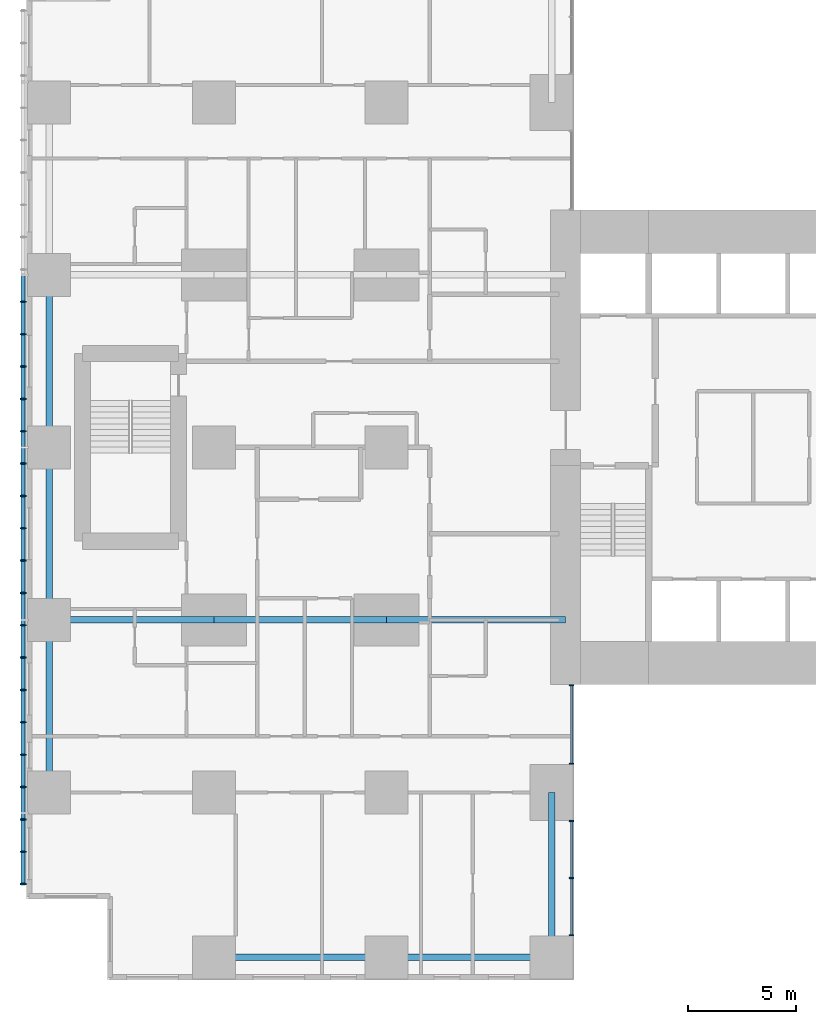
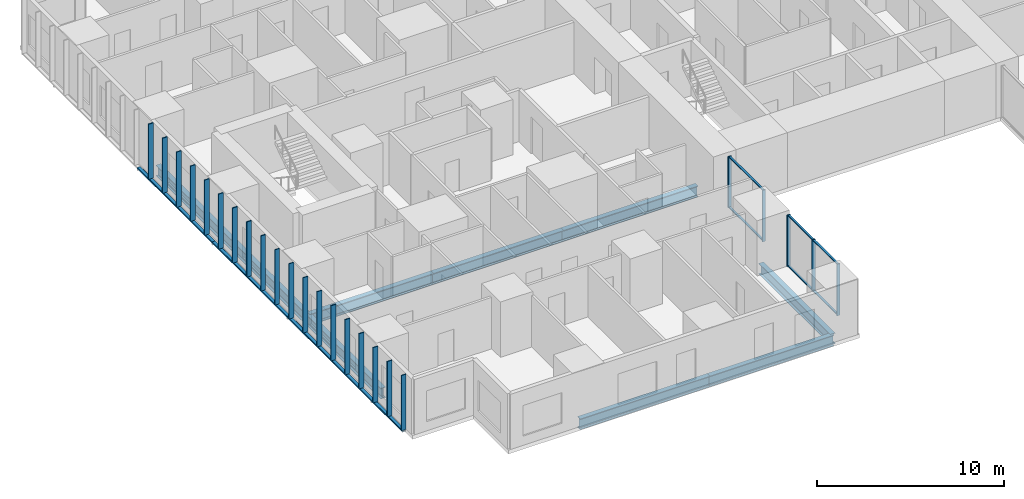
# One storey, part 2 of 20: 33 members, 9 beams, 2 elements without a shape of their own.
"""IFC4 building model written with IfcOpenShell, lengths in metres."""

from ifc_helpers import new_model, si_unit, direction, frame, origin, origin_2d, place, context, subcontext, project, spatial, rectangle, hollow_rectangle, i_section, extrude, material, layer, layer_set, material_profile, profile_set, type_object, element, aggregate, save


model = new_model("IFC4")

# Units and contexts
model_context = context("Model", 3, precision=1e-05, world=origin(), true_north=direction((0.0, 1.0)))
body_context = subcontext(model_context, "Body", "Model", "MODEL_VIEW")
ifc_project = project(units=[si_unit("LENGTHUNIT", "METRE"), si_unit("AREAUNIT", "SQUARE_METRE"), si_unit("VOLUMEUNIT", "CUBIC_METRE"), si_unit("PLANEANGLEUNIT", "RADIAN"), si_unit("MASSUNIT", "GRAM", prefix="KILO")], contexts=[model_context])

# Site, building, storey
site_placement = place(None, origin())
site = spatial("IfcSite", under=ifc_project, at=site_placement, CompositionType="ELEMENT")
building_placement = place(site_placement, origin())
building = spatial("IfcBuilding", under=site, at=building_placement, Name="Cleftline Residences", CompositionType="ELEMENT")
storey_placement = place(building_placement, frame((0.0, 0.0, 54.800048828125)))
storey = spatial("IfcBuildingStorey", under=building, at=storey_placement, Name="L13", CompositionType="ELEMENT", Elevation=54.800048828125)

# Members
ifc_material_1 = material(Name="Steel S355, hot-dip galvanised", Category="steel")
ifc_material_profile_1 = material_profile(ifc_material_1, hollow_rectangle(XDim=0.10009765625, YDim=0.199951171875, WallThickness=0.008056640625, InnerFilletRadius=0.008056640625, OuterFilletRadius=0.011962890625, at=origin_2d()))
ifc_profile_set_1 = profile_set([ifc_material_profile_1], Name="Steel S355, hot-dip galvanised")
member_type_1 = type_object("IfcMemberType", Name="BAGUETTE CARRIER RHS 200X100X8", PredefinedType="USERDEFINED", material=ifc_profile_set_1)
for number, where, z_axis, x_axis, name in (
    (1, (-0.85009765625, 32.0, -0.050048828125), (0.0, -1.0, 0.0), (0.0, 0.0, 1.0), "Baguette carrier"),
    (2, (-0.85009765625, 24.0, -0.050048828125), (0.0, -1.0, 0.0), (0.0, 0.0, 1.0), "Baguette carrier"),
):
    element("IfcMember", number, at=place(storey_placement, frame(where, z_axis=z_axis, x_axis=x_axis)), inside=storey, type_object=member_type_1, Name=name, ObjectType="BAGUETTE CARRIER", PredefinedType="USERDEFINED", context=body_context, shape_type="SweptSolid", body=[
        extrude(hollow_rectangle(XDim=0.10009765625, YDim=0.199951171875, WallThickness=0.008056640625, InnerFilletRadius=0.008056640625, OuterFilletRadius=0.011962890625, at=origin_2d()), origin(), (0.0, 0.0, 1.0), 8.0),
    ])
member_1_placement = place(storey_placement, frame((-0.85009765625, 16.0, -0.050048828125), z_axis=(0.0, -1.0, 0.0), x_axis=(0.0, 0.0, 1.0)))
element("IfcMember", 3, at=member_1_placement, inside=storey, type_object=member_type_1, Name="Baguette carrier", ObjectType="BAGUETTE CARRIER", PredefinedType="USERDEFINED", context=body_context, shape_type="SweptSolid", body=[
    extrude(hollow_rectangle(XDim=0.10009765625, YDim=0.199951171875, WallThickness=0.008056640625, InnerFilletRadius=0.008056640625, OuterFilletRadius=0.011962890625, at=origin_2d()), origin(), (0.0, 0.0, 1.0), 12.300048828125),
])

# Beams
ifc_material_2 = material(Name="Steel S355", Category="steel")
ifc_material_profile_2 = material_profile(ifc_material_2, i_section(OverallWidth=0.300048828125, OverallDepth=0.699951171875, WebThickness=0.01708984375, FlangeThickness=0.031982421875, FilletRadius=0.027099609375, at=origin_2d()))
ifc_profile_set_2 = profile_set([ifc_material_profile_2], Name="Steel S355")
beam_type_1 = type_object("IfcBeamType", Name="BEAM HEB 700", PredefinedType="BEAM", material=ifc_profile_set_2)
for number, where, z_axis, x_axis, name in (
    (4, (0.35009765625, 8.0, -0.60009765625), (0.0, 1.0, 0.0), (-1.0, 0.0, 0.0), "Edge beam"),
    (5, (0.35009765625, 16.0, -0.60009765625), (0.0, 1.0, 0.0), (-1.0, 0.0, 0.0), "Edge beam"),
    (6, (0.35009765625, 24.0, -0.60009765625), (0.0, 1.0, 0.0), (-1.0, 0.0, 0.0), "Edge beam"),
    (7, (8.0, 0.35009765625, -0.60009765625), (1.0, 0.0, 0.0), (0.0, 1.0, 0.0), "Edge beam"),
):
    element("IfcBeam", number, at=place(storey_placement, frame(where, z_axis=z_axis, x_axis=x_axis)), inside=storey, type_object=beam_type_1, Name=name, PredefinedType="BEAM", context=body_context, shape_type="SweptSolid", body=[
        extrude(i_section(OverallWidth=0.300048828125, OverallDepth=0.699951171875, WebThickness=0.01708984375, FlangeThickness=0.031982421875, FilletRadius=0.027099609375, at=origin_2d()), origin(), (0.0, 0.0, 1.0), 8.0),
    ])
for number, where, z_axis, x_axis, name in (
    (8, (16.0, 0.35009765625, -0.60009765625), (1.0, 0.0, 0.0), (0.0, 1.0, 0.0), "Edge beam"),
    (9, (23.64990234375, 0.35009765625, -0.60009765625), (0.0, 1.0, 0.0), (-1.0, 0.0, 0.0), "Edge beam"),
):
    element("IfcBeam", number, at=place(storey_placement, frame(where, z_axis=z_axis, x_axis=x_axis)), inside=storey, type_object=beam_type_1, Name=name, PredefinedType="BEAM", context=body_context, shape_type="SweptSolid", body=[
        extrude(i_section(OverallWidth=0.300048828125, OverallDepth=0.699951171875, WebThickness=0.01708984375, FlangeThickness=0.031982421875, FilletRadius=0.027099609375, at=origin_2d()), origin(), (0.0, 0.0, 1.0), 7.64990234375),
    ])
ifc_material_3 = material(Name="Steel S355", Category="steel")
ifc_material_profile_3 = material_profile(ifc_material_3, i_section(OverallWidth=0.303955078125, OverallDepth=0.716064453125, WebThickness=0.02099609375, FlangeThickness=0.0400390625, FilletRadius=0.027099609375, at=origin_2d()))
ifc_profile_set_3 = profile_set([ifc_material_profile_3], Name="Steel S355")
beam_type_2 = type_object("IfcBeamType", Name="BEAM HEM 700", PredefinedType="BEAM", material=ifc_profile_set_3)
beam_1_placement = place(storey_placement, frame((0.35009765625, 16.0, -0.608154296875), z_axis=(1.0, 0.0, 0.0), x_axis=(0.0, 1.0, 0.0)))
element("IfcBeam", 10, at=beam_1_placement, inside=storey, type_object=beam_type_2, Name="Band beam", PredefinedType="BEAM", context=body_context, shape_type="SweptSolid", body=[
    extrude(i_section(OverallWidth=0.303955078125, OverallDepth=0.716064453125, WebThickness=0.02099609375, FlangeThickness=0.0400390625, FilletRadius=0.027099609375, at=origin_2d()), origin(), (0.0, 0.0, 1.0), 7.64990234375),
])
beam_2_placement = place(storey_placement, frame((8.0, 16.0, -0.608154296875), z_axis=(1.0, 0.0, 0.0), x_axis=(0.0, 1.0, 0.0)))
element("IfcBeam", 11, at=beam_2_placement, inside=storey, type_object=beam_type_2, Name="Band beam", PredefinedType="BEAM", context=body_context, shape_type="SweptSolid", body=[
    extrude(i_section(OverallWidth=0.303955078125, OverallDepth=0.716064453125, WebThickness=0.02099609375, FlangeThickness=0.0400390625, FilletRadius=0.027099609375, at=origin_2d()), origin(), (0.0, 0.0, 1.0), 8.0),
])
beam_3_placement = place(storey_placement, frame((16.0, 16.0, -0.608154296875), z_axis=(1.0, 0.0, 0.0), x_axis=(0.0, 1.0, 0.0)))
element("IfcBeam", 12, at=beam_3_placement, inside=storey, type_object=beam_type_2, Name="Band beam", PredefinedType="BEAM", context=body_context, shape_type="SweptSolid", body=[
    extrude(i_section(OverallWidth=0.303955078125, OverallDepth=0.716064453125, WebThickness=0.02099609375, FlangeThickness=0.0400390625, FilletRadius=0.027099609375, at=origin_2d()), origin(), (0.0, 0.0, 1.0), 8.300048828125),
])

# Curtain wall, members
ifc_material_4 = material(Name="Aluminium framed curtain wall", Category="aluminium")
ifc_layer = layer(ifc_material_4, 0.199951171875)
ifc_layer_set = layer_set([ifc_layer], Name="CW1 CLEFT GLAZING")
curtain_wall_type = type_object("IfcCurtainWallType", Name="CW1 CLEFT GLAZING", PredefinedType="NOTDEFINED", material=ifc_layer_set)
curtain_wall_1_placement = place(storey_placement, origin())
curtain_wall_1 = element("IfcCurtainWall", 13, at=curtain_wall_1_placement, inside=storey, type_object=curtain_wall_type, Name="Curtain wall CW1", PredefinedType="NOTDEFINED")
ifc_material_5 = material(Name="Aluminium mullion", Category="aluminium")
ifc_material_profile_4 = material_profile(ifc_material_5, rectangle(XDim=0.199951171875, YDim=0.06005859375, at=origin_2d()))
ifc_profile_set_4 = profile_set([ifc_material_profile_4], Name="Aluminium mullion")
member_type_2 = type_object("IfcMemberType", Name="CW1 MULLION", PredefinedType="MULLION", material=ifc_profile_set_4)
member_2_placement = place(storey_placement, frame((24.574951171875, 1.3798828125, 0.0), z_axis=(0.0, 0.0, 1.0), x_axis=(-1.0, 0.0, 0.0)))
member_2 = element("IfcMember", 14, at=member_2_placement, type_object=member_type_2, Name="CW1 mullion 1", PredefinedType="MULLION", context=body_context, shape_type="SweptSolid", body=[
    extrude(rectangle(XDim=0.199951171875, YDim=0.06005859375, at=origin_2d()), origin(), (0.0, 0.0, 1.0), 3.349853515625),
])
member_3_placement = place(storey_placement, frame((24.574951171875, 4.02490234375, 0.0), z_axis=(0.0, 0.0, 1.0), x_axis=(-1.0, 0.0, 0.0)))
member_3 = element("IfcMember", 15, at=member_3_placement, type_object=member_type_2, Name="CW1 mullion 2", PredefinedType="MULLION", context=body_context, shape_type="SweptSolid", body=[
    extrude(rectangle(XDim=0.199951171875, YDim=0.06005859375, at=origin_2d()), origin(), (0.0, 0.0, 1.0), 3.349853515625),
])
member_4_placement = place(storey_placement, frame((24.574951171875, 6.669921875, 0.0), z_axis=(0.0, 0.0, 1.0), x_axis=(-1.0, 0.0, 0.0)))
member_4 = element("IfcMember", 16, at=member_4_placement, type_object=member_type_2, Name="CW1 mullion 3", PredefinedType="MULLION", context=body_context, shape_type="SweptSolid", body=[
    extrude(rectangle(XDim=0.199951171875, YDim=0.06005859375, at=origin_2d()), origin(), (0.0, 0.0, 1.0), 3.349853515625),
])

curtain_wall_2_placement = place(storey_placement, origin())
curtain_wall_2 = element("IfcCurtainWall", 17, at=curtain_wall_2_placement, inside=storey, type_object=curtain_wall_type, Name="Curtain wall CW1", PredefinedType="NOTDEFINED")
member_5_placement = place(storey_placement, frame((24.574951171875, 9.330078125, 0.0), z_axis=(0.0, 0.0, 1.0), x_axis=(-1.0, 0.0, 0.0)))
member_5 = element("IfcMember", 18, at=member_5_placement, type_object=member_type_2, Name="CW1 mullion 1", PredefinedType="MULLION", context=body_context, shape_type="SweptSolid", body=[
    extrude(rectangle(XDim=0.199951171875, YDim=0.06005859375, at=origin_2d()), origin(), (0.0, 0.0, 1.0), 3.349853515625),
])
member_6_placement = place(storey_placement, frame((24.574951171875, 12.969970703125, 0.0), z_axis=(0.0, 0.0, 1.0), x_axis=(-1.0, 0.0, 0.0)))
member_6 = element("IfcMember", 19, at=member_6_placement, type_object=member_type_2, Name="CW1 mullion 2", PredefinedType="MULLION", context=body_context, shape_type="SweptSolid", body=[
    extrude(rectangle(XDim=0.199951171875, YDim=0.06005859375, at=origin_2d()), origin(), (0.0, 0.0, 1.0), 3.349853515625),
])

# Member
ifc_material_6 = material(Name="Aluminium transom", Category="aluminium")
ifc_material_profile_5 = material_profile(ifc_material_6, rectangle(XDim=0.1201171875, YDim=0.06005859375, at=origin_2d()))
ifc_profile_set_5 = profile_set([ifc_material_profile_5], Name="Aluminium transom")
member_type_3 = type_object("IfcMemberType", Name="CW1 TRANSOM", PredefinedType="USERDEFINED", material=ifc_profile_set_5)
member_7_placement = place(storey_placement, frame((24.574951171875, 1.409912109375, 0.030029296875), z_axis=(0.0, 1.0, 0.0), x_axis=(-1.0, 0.0, 0.0)))
member_7 = element("IfcMember", 20, at=member_7_placement, type_object=member_type_3, Name="CW1 transom 1.1", ObjectType="TRANSOM", PredefinedType="USERDEFINED", context=body_context, shape_type="SweptSolid", body=[
    extrude(rectangle(XDim=0.1201171875, YDim=0.06005859375, at=origin_2d()), origin(), (0.0, 0.0, 1.0), 2.585205078125),
])

member_8_placement = place(storey_placement, frame((24.574951171875, 1.409912109375, 3.320068359375), z_axis=(0.0, 1.0, 0.0), x_axis=(-1.0, 0.0, 0.0)))
member_8 = element("IfcMember", 21, at=member_8_placement, type_object=member_type_3, Name="CW1 transom 1.2", ObjectType="TRANSOM", PredefinedType="USERDEFINED", context=body_context, shape_type="SweptSolid", body=[
    extrude(rectangle(XDim=0.1201171875, YDim=0.06005859375, at=origin_2d()), origin(), (0.0, 0.0, 1.0), 2.585205078125),
])

member_9_placement = place(storey_placement, frame((24.574951171875, 4.054931640625, 0.030029296875), z_axis=(0.0, 1.0, 0.0), x_axis=(-1.0, 0.0, 0.0)))
member_9 = element("IfcMember", 22, at=member_9_placement, type_object=member_type_3, Name="CW1 transom 2.1", ObjectType="TRANSOM", PredefinedType="USERDEFINED", context=body_context, shape_type="SweptSolid", body=[
    extrude(rectangle(XDim=0.1201171875, YDim=0.06005859375, at=origin_2d()), origin(), (0.0, 0.0, 1.0), 2.5849609375),
])

member_10_placement = place(storey_placement, frame((24.574951171875, 4.054931640625, 3.320068359375), z_axis=(0.0, 1.0, 0.0), x_axis=(-1.0, 0.0, 0.0)))
member_10 = element("IfcMember", 23, at=member_10_placement, type_object=member_type_3, Name="CW1 transom 2.2", ObjectType="TRANSOM", PredefinedType="USERDEFINED", context=body_context, shape_type="SweptSolid", body=[
    extrude(rectangle(XDim=0.1201171875, YDim=0.06005859375, at=origin_2d()), origin(), (0.0, 0.0, 1.0), 2.5849609375),
])

aggregate(curtain_wall_1, [member_2, member_3, member_4, member_7, member_8, member_9, member_10])

member_11_placement = place(storey_placement, frame((24.574951171875, 9.360107421875, 0.030029296875), z_axis=(0.0, 1.0, 0.0), x_axis=(-1.0, 0.0, 0.0)))
member_11 = element("IfcMember", 24, at=member_11_placement, type_object=member_type_3, Name="CW1 transom 1.1", ObjectType="TRANSOM", PredefinedType="USERDEFINED", context=body_context, shape_type="SweptSolid", body=[
    extrude(rectangle(XDim=0.1201171875, YDim=0.06005859375, at=origin_2d()), origin(), (0.0, 0.0, 1.0), 3.579833984375),
])

member_12_placement = place(storey_placement, frame((24.574951171875, 9.360107421875, 3.320068359375), z_axis=(0.0, 1.0, 0.0), x_axis=(-1.0, 0.0, 0.0)))
member_12 = element("IfcMember", 25, at=member_12_placement, type_object=member_type_3, Name="CW1 transom 1.2", ObjectType="TRANSOM", PredefinedType="USERDEFINED", context=body_context, shape_type="SweptSolid", body=[
    extrude(rectangle(XDim=0.1201171875, YDim=0.06005859375, at=origin_2d()), origin(), (0.0, 0.0, 1.0), 3.579833984375),
])

aggregate(curtain_wall_2, [member_5, member_6, member_11, member_12])

# Members
ifc_material_7 = material(Name="Extruded terracotta", Category="masonry")
ifc_material_profile_6 = material_profile(ifc_material_7, rectangle(XDim=0.06005859375, YDim=0.300048828125, at=origin_2d()))
ifc_profile_set_6 = profile_set([ifc_material_profile_6], Name="Extruded terracotta")
member_type_4 = type_object("IfcMemberType", Name="TERRACOTTA BAGUETTE 60X300", PredefinedType="USERDEFINED", material=ifc_profile_set_6)
for number, where, z_axis, x_axis, name in (
    (26, (-0.85009765625, 30.75, 0.0), (0.0, 0.0, 1.0), (0.0, 1.0, 0.0), "Terracotta baguette"),
    (27, (-0.85009765625, 29.25, 0.0), (0.0, 0.0, 1.0), (0.0, 1.0, 0.0), "Terracotta baguette"),
    (28, (-0.85009765625, 27.75, 0.0), (0.0, 0.0, 1.0), (0.0, 1.0, 0.0), "Terracotta baguette"),
    (29, (-0.85009765625, 26.25, 0.0), (0.0, 0.0, 1.0), (0.0, 1.0, 0.0), "Terracotta baguette"),
    (30, (-0.85009765625, 24.75, 0.0), (0.0, 0.0, 1.0), (0.0, 1.0, 0.0), "Terracotta baguette"),
    (31, (-0.85009765625, 23.25, 0.0), (0.0, 0.0, 1.0), (0.0, 1.0, 0.0), "Terracotta baguette"),
    (32, (-0.85009765625, 21.75, 0.0), (0.0, 0.0, 1.0), (0.0, 1.0, 0.0), "Terracotta baguette"),
    (33, (-0.85009765625, 20.25, 0.0), (0.0, 0.0, 1.0), (0.0, 1.0, 0.0), "Terracotta baguette"),
    (34, (-0.85009765625, 18.75, 0.0), (0.0, 0.0, 1.0), (0.0, 1.0, 0.0), "Terracotta baguette"),
    (35, (-0.85009765625, 17.25, 0.0), (0.0, 0.0, 1.0), (0.0, 1.0, 0.0), "Terracotta baguette"),
    (36, (-0.85009765625, 15.75, 0.0), (0.0, 0.0, 1.0), (0.0, 1.0, 0.0), "Terracotta baguette"),
    (37, (-0.85009765625, 14.25, 0.0), (0.0, 0.0, 1.0), (0.0, 1.0, 0.0), "Terracotta baguette"),
    (38, (-0.85009765625, 12.75, 0.0), (0.0, 0.0, 1.0), (0.0, 1.0, 0.0), "Terracotta baguette"),
    (39, (-0.85009765625, 11.25, 0.0), (0.0, 0.0, 1.0), (0.0, 1.0, 0.0), "Terracotta baguette"),
    (40, (-0.85009765625, 9.75, 0.0), (0.0, 0.0, 1.0), (0.0, 1.0, 0.0), "Terracotta baguette"),
    (41, (-0.85009765625, 8.25, 0.0), (0.0, 0.0, 1.0), (0.0, 1.0, 0.0), "Terracotta baguette"),
    (42, (-0.85009765625, 6.75, 0.0), (0.0, 0.0, 1.0), (0.0, 1.0, 0.0), "Terracotta baguette"),
    (43, (-0.85009765625, 5.25, 0.0), (0.0, 0.0, 1.0), (0.0, 1.0, 0.0), "Terracotta baguette"),
    (44, (-0.85009765625, 3.75, 0.0), (0.0, 0.0, 1.0), (0.0, 1.0, 0.0), "Terracotta baguette"),
):
    element("IfcMember", number, at=place(storey_placement, frame(where, z_axis=z_axis, x_axis=x_axis)), inside=storey, type_object=member_type_4, Name=name, ObjectType="BAGUETTE", PredefinedType="USERDEFINED", context=body_context, shape_type="SweptSolid", body=[
        extrude(rectangle(XDim=0.06005859375, YDim=0.300048828125, at=origin_2d()), origin(), (0.0, 0.0, 1.0), 3.599853515625),
    ])

save(model, "model.ifc")
